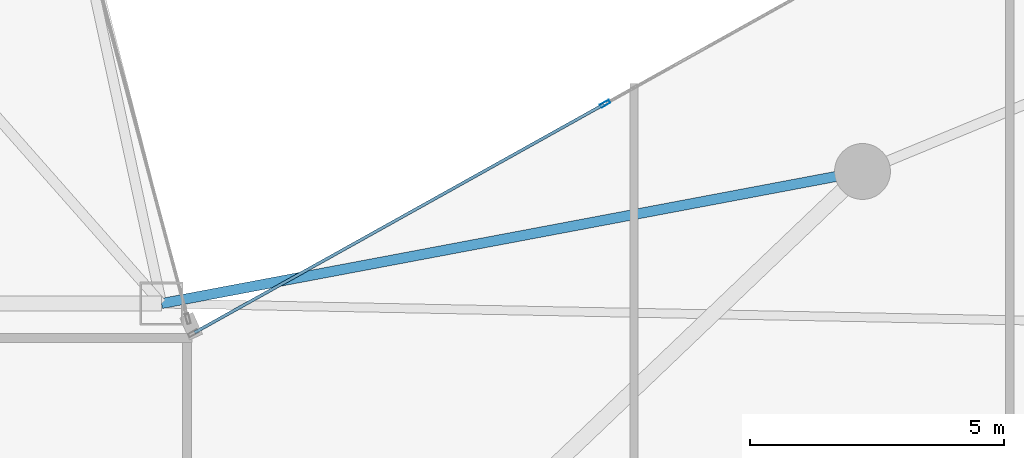
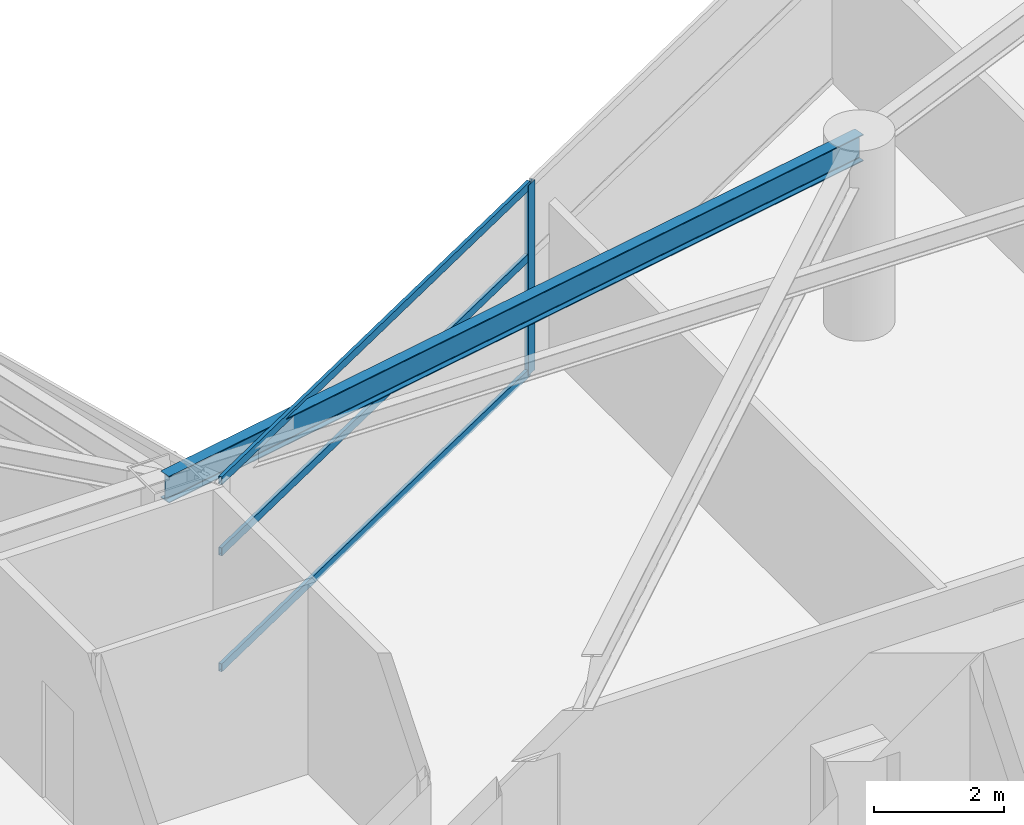
# One storey, part 11 of 28: 4 members, 1 beam, 1 element without a shape of its own.
"""IFC4 building model written with IfcOpenShell, lengths in metres."""

from ifc_helpers import new_model, si_unit, direction, frame, origin, origin_2d, place, context, subcontext, project, spatial, hollow_rectangle, i_section, extrude, material, layer, layer_set, material_profile, profile_set, type_object, element, aggregate, save


model = new_model("IFC4")

# Units and contexts
model_context = context("Model", 3, precision=1e-05, world=origin(), true_north=direction((0.0, 1.0)))
body_context = subcontext(model_context, "Body", "Model", "MODEL_VIEW")
ifc_project = project(units=[si_unit("LENGTHUNIT", "METRE"), si_unit("AREAUNIT", "SQUARE_METRE"), si_unit("VOLUMEUNIT", "CUBIC_METRE"), si_unit("PLANEANGLEUNIT", "RADIAN"), si_unit("MASSUNIT", "GRAM", prefix="KILO")], contexts=[model_context])

# Site, building, storey
site_placement = place(None, origin())
site = spatial("IfcSite", under=ifc_project, at=site_placement, CompositionType="ELEMENT")
building_placement = place(site_placement, origin())
building = spatial("IfcBuilding", under=site, at=building_placement, Name="Calvorn Quay Hotel", CompositionType="ELEMENT")
storey_placement = place(building_placement, frame((0.0, 0.0, 97.39990234375)))
storey = spatial("IfcBuildingStorey", under=building, at=storey_placement, Name="L23", CompositionType="ELEMENT", Elevation=97.39990234375)

# Beam
ifc_material_1 = material(Name="Steel Q355B", Category="steel")
ifc_material_profile_1 = material_profile(ifc_material_1, i_section(OverallWidth=0.199951171875, OverallDepth=0.5, WebThickness=0.010009765625, FlangeThickness=0.01611328125, FilletRadius=0.01611328125, at=origin_2d()), Name="HN500x200x10x16")
ifc_profile_set_1 = profile_set([ifc_material_profile_1], Name="Steel Q355B")
beam_type = type_object("IfcBeamType", Name="BM-SPANDREL-Z1", PredefinedType="SPANDREL", material=ifc_profile_set_1)
beam_placement = place(storey_placement, frame((34.800048828125, 27.60009765625, 3.2900390625), z_axis=(-0.982709432406, -0.185154452988, 0.0), x_axis=(0.185154452988, -0.982709432406, 0.0)))
element("IfcBeam", 1, at=beam_placement, inside=storey, type_object=beam_type, Name="Beam BSP-L23-E5", PredefinedType="SPANDREL", context=body_context, shape_type="SweptSolid", body=[
    extrude(i_section(OverallWidth=0.199951171875, OverallDepth=0.5, WebThickness=0.010009765625, FlangeThickness=0.01611328125, FilletRadius=0.01611328125, at=origin_2d()), origin(), (0.0, 0.0, 1.0), 14.04296875),
])

# Curtain wall, members
ifc_material_2 = material(Name="Pale Anodised Aluminium and Low-E Glass", Category="aluminium")
ifc_layer = layer(ifc_material_2, 0.219970703125)
ifc_layer_set = layer_set([ifc_layer], Name="CW-SYS-Z2")
curtain_wall_type = type_object("IfcCurtainWallType", Name="CW-SYS-Z2", PredefinedType="NOTDEFINED", material=ifc_layer_set)
curtain_wall_placement = place(storey_placement, origin())
curtain_wall = element("IfcCurtainWall", 2, at=curtain_wall_placement, inside=storey, type_object=curtain_wall_type, Name="Inner Court Curtain Wall L23-NE1", PredefinedType="NOTDEFINED")
ifc_material_3 = material(Name="Pale Anodised Aluminium 6063-T6", Category="aluminium")
ifc_material_profile_2 = material_profile(ifc_material_3, hollow_rectangle(XDim=0.070068359375, YDim=0.199951171875, WallThickness=0.00390625, at=origin_2d()), Name="ALU-M200x70x4")
ifc_profile_set_2 = profile_set([ifc_material_profile_2], Name="Pale Anodised Aluminium 6063-T6")
member_type_1 = type_object("IfcMemberType", Name="CW-SYS-Z2-MUL", PredefinedType="MULLION", material=ifc_profile_set_2)
member_1_placement = place(storey_placement, frame((29.7333984375, 28.933349609375, 0.0), z_axis=(0.0, 0.0, 1.0), x_axis=(0.486858256224, -0.873480989116, 0.0)))
member_1 = element("IfcMember", 3, at=member_1_placement, type_object=member_type_1, Name="CW-L23-NE1 mullion 3", PredefinedType="MULLION", context=body_context, shape_type="SweptSolid", body=[
    extrude(hollow_rectangle(XDim=0.070068359375, YDim=0.199951171875, WallThickness=0.00390625, at=origin_2d()), origin(), (0.0, 0.0, 1.0), 3.56005859375),
])
ifc_material_4 = material(Name="Pale Anodised Aluminium 6063-T6", Category="aluminium")
ifc_material_profile_3 = material_profile(ifc_material_4, hollow_rectangle(XDim=0.06005859375, YDim=0.14990234375, WallThickness=0.00341796875, at=origin_2d()), Name="ALU-T150x60x3.5")
ifc_profile_set_3 = profile_set([ifc_material_profile_3], Name="Pale Anodised Aluminium 6063-T6")
member_type_2 = type_object("IfcMemberType", Name="CW-SYS-Z2-TRN", PredefinedType="USERDEFINED", material=ifc_profile_set_3)
member_2_placement = place(storey_placement, frame((29.70703125, 28.918701171875, 0.030029296875), z_axis=(-0.87348080454, -0.486858587375, 0.0), x_axis=(0.486858587375, -0.87348080454, 0.0)))
member_2 = element("IfcMember", 4, at=member_2_placement, type_object=member_type_2, Name="CW-L23-NE1 transom 3.1", ObjectType="TRANSOM", PredefinedType="USERDEFINED", context=body_context, shape_type="SweptSolid", body=[
    extrude(hollow_rectangle(XDim=0.06005859375, YDim=0.14990234375, WallThickness=0.00341796875, at=origin_2d()), origin(), (0.0, 0.0, 1.0), 9.221435546875),
])
member_3_placement = place(storey_placement, frame((29.70703125, 28.918701171875, 2.2001953125), z_axis=(-0.87348080454, -0.486858587375, 0.0), x_axis=(0.486858587375, -0.87348080454, 0.0)))
member_3 = element("IfcMember", 5, at=member_3_placement, type_object=member_type_2, Name="CW-L23-NE1 transom 3.2", ObjectType="TRANSOM", PredefinedType="USERDEFINED", context=body_context, shape_type="SweptSolid", body=[
    extrude(hollow_rectangle(XDim=0.06005859375, YDim=0.14990234375, WallThickness=0.00341796875, at=origin_2d()), origin(), (0.0, 0.0, 1.0), 9.221435546875),
])
member_4_placement = place(storey_placement, frame((29.70703125, 28.918701171875, 3.530029296875), z_axis=(-0.87348080454, -0.486858587375, 0.0), x_axis=(0.486858587375, -0.87348080454, 0.0)))
member_4 = element("IfcMember", 6, at=member_4_placement, type_object=member_type_2, Name="CW-L23-NE1 transom 3.3", ObjectType="TRANSOM", PredefinedType="USERDEFINED", context=body_context, shape_type="SweptSolid", body=[
    extrude(hollow_rectangle(XDim=0.06005859375, YDim=0.14990234375, WallThickness=0.00341796875, at=origin_2d()), origin(), (0.0, 0.0, 1.0), 9.221435546875),
])
aggregate(curtain_wall, [member_1, member_2, member_3, member_4])

save(model, "model.ifc")
